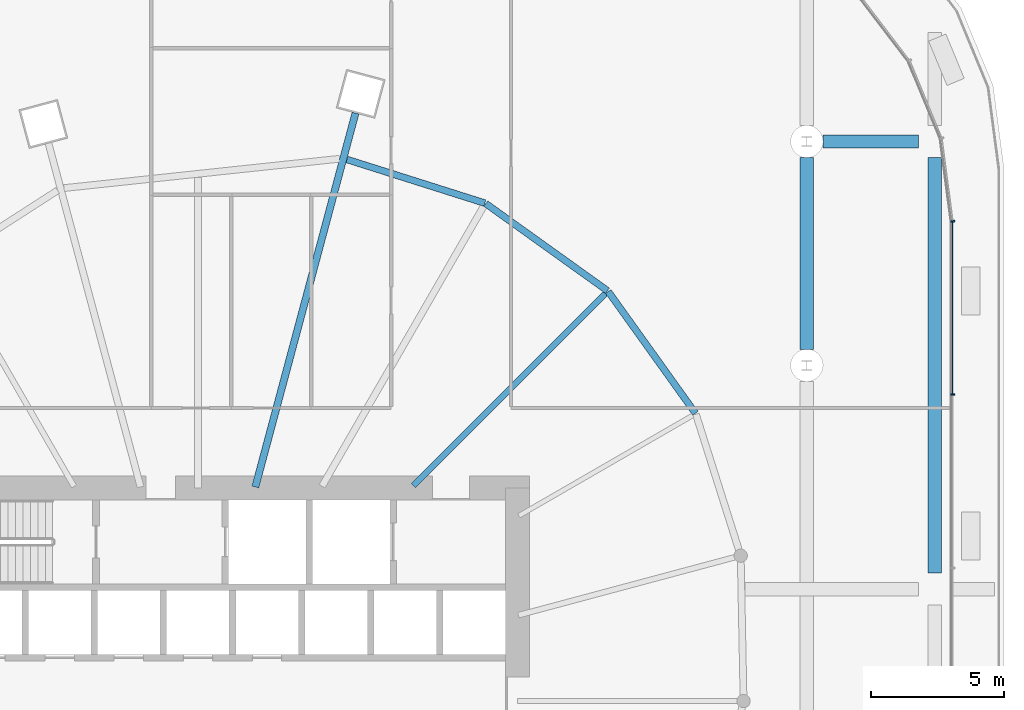
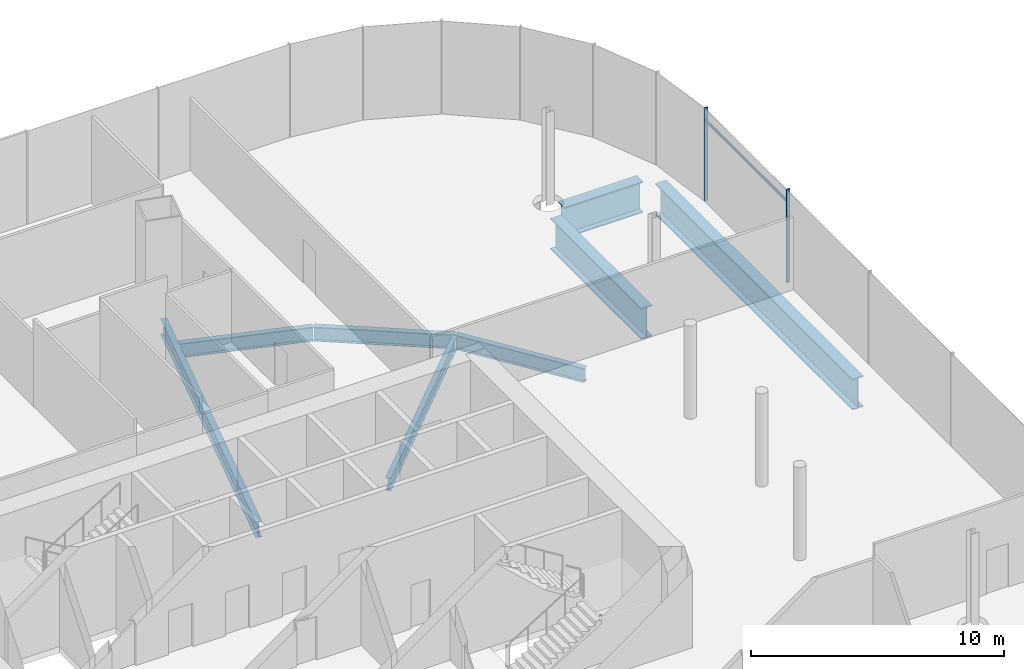
# One storey, part 28 of 56: 8 beams, 3 members, 1 element without a shape of its own.
"""IFC4 building model written with IfcOpenShell, lengths in metres."""

import ifcopenshell
import ifcopenshell.guid

model = None  # the IFC model being written
_history = None  # IfcOwnerHistory: only IFC2X3 demands one
_inside = {}  # id of a spatial element -> (the spatial element, [elements in it])
_under = {}  # id of a project, library or spatial element -> (it, [spatial elements below it])
_declared = {}  # id of a project -> (the project, [libraries it declares])
_typed = {}  # id of a type object -> (the type object, [elements of that type])
_made_of = {}  # id of a material, layer set ... -> (it, [elements and type objects made of it])


def new_model(schema):
    """Start an empty IFC model of exactly this schema.

    Asked for "IFC4X3", IfcOpenShell would pick the latest addendum, in which some entities
    have other attributes; the version numbers below select the first issue.
    IFC2X3 requires an IfcOwnerHistory on every rooted entity: one is made here for all.
    """
    global model, _history
    if schema == "IFC4X3":
        model = ifcopenshell.file(schema_version=(4, 3, 0, 0))
    else:
        model = ifcopenshell.file(schema=schema)
    _inside.clear()
    _under.clear()
    _declared.clear()
    _typed.clear()
    _made_of.clear()
    _history = None
    if model.schema == "IFC2X3":
        org = make("IfcOrganization", Name="unknown")
        user = make(
            "IfcPersonAndOrganization",
            ThePerson=make("IfcPerson", FamilyName="unknown"),
            TheOrganization=org,
        )
        app = make(
            "IfcApplication",
            ApplicationDeveloper=org,
            Version="unknown",
            ApplicationFullName="unknown",
            ApplicationIdentifier="unknown",
        )
        _history = make(
            "IfcOwnerHistory",
            OwningUser=user,
            OwningApplication=app,
            ChangeAction="ADDED",
            CreationDate=0,
        )
    return model


def make(cls, **values):
    """One entity of the class cls with the attributes given. An attribute that is None is left unset."""
    return model.create_entity(
        cls, **{name: value for name, value in values.items() if value is not None}
    )


def rooted(cls, **values):
    """An entity with a GlobalId (a new one), such as an element, a storey or a relation."""
    return make(cls, GlobalId=ifcopenshell.guid.new(), OwnerHistory=_history, **values)


def si_unit(unit_type, name, prefix=None):
    """IfcSIUnit, for example si_unit("LENGTHUNIT", "METRE", prefix="MILLI")."""
    return make("IfcSIUnit", UnitType=unit_type, Prefix=prefix, Name=name)


def assignment(units):
    """IfcUnitAssignment: the units of a project."""
    return None if units is None else make("IfcUnitAssignment", Units=units)


def point(xyz):
    """IfcCartesianPoint."""
    return None if xyz is None else make("IfcCartesianPoint", Coordinates=xyz)


def direction(xyz):
    """IfcDirection."""
    return None if xyz is None else make("IfcDirection", DirectionRatios=xyz)


def frame(location, z_axis=None, x_axis=None):
    """IfcAxis2Placement3D, a coordinate frame: its origin and axes. An axis left out is left unset."""
    return make(
        "IfcAxis2Placement3D",
        Location=point(location),
        Axis=direction(z_axis),
        RefDirection=direction(x_axis),
    )


def frame_2d(location, x_axis=None):
    """IfcAxis2Placement2D, a coordinate frame in the plane: its origin and x axis."""
    return make(
        "IfcAxis2Placement2D", Location=point(location), RefDirection=direction(x_axis)
    )


def origin():
    """The frame at (0, 0, 0) with its axes left unset."""
    return frame((0.0, 0.0, 0.0))


def origin_2d():
    """The frame at (0, 0) in the plane with its x axis left unset."""
    return frame_2d((0.0, 0.0))


def place(relative_to, where):
    """IfcLocalPlacement: puts the frame where relative to a parent placement (None: the world)."""
    return make(
        "IfcLocalPlacement", PlacementRelTo=relative_to, RelativePlacement=where
    )


def context(
    kind, dimensions, precision=None, world=None, true_north=None, identifier=None
):
    """IfcGeometricRepresentationContext, for example the 3D "Model" context."""
    return make(
        "IfcGeometricRepresentationContext",
        ContextIdentifier=identifier,
        ContextType=kind,
        CoordinateSpaceDimension=dimensions,
        Precision=precision,
        WorldCoordinateSystem=world,
        TrueNorth=true_north,
    )


def subcontext(parent, identifier, kind, view, scale=None):
    """IfcGeometricRepresentationSubContext, for example "Body" below "Model"."""
    return make(
        "IfcGeometricRepresentationSubContext",
        ContextIdentifier=identifier,
        ContextType=kind,
        ParentContext=parent,
        TargetScale=scale,
        TargetView=view,
    )


def project(units=None, contexts=None):
    """IfcProject with its units and contexts."""
    return rooted(
        "IfcProject",
        Name="project",
        RepresentationContexts=contexts,
        UnitsInContext=assignment(units),
    )


def spatial(cls, under=None, at=None, **own):
    """A site, building, storey or space (cls), placed at a placement, below another one or the project."""
    s = rooted(cls, ObjectPlacement=at, **own)
    if under is not None:
        _under.setdefault(under.id(), (under, []))[1].append(s)
    return s


def profile(cls, at=None, kind="AREA", **sizes):
    """A parametric profile (cls). Its sizes go by their IFC names, for example OverallWidth=200.0."""
    return make(cls, ProfileType=kind, Position=at, **sizes)


def rectangle(**sizes):
    """IfcRectangleProfileDef."""
    return profile("IfcRectangleProfileDef", **sizes)


def i_section(**sizes):
    """IfcIShapeProfileDef."""
    return profile("IfcIShapeProfileDef", **sizes)


def extrude(swept, where, along, depth):
    """IfcExtrudedAreaSolid: the profile swept, set in the frame where, extruded along a direction by depth."""
    return make(
        "IfcExtrudedAreaSolid",
        SweptArea=swept,
        Position=where,
        ExtrudedDirection=direction(along),
        Depth=depth,
    )


def shape(context_of_items, identifier, shape_type, items):
    """IfcShapeRepresentation: the items that make up one representation, for example the "Body"."""
    return make(
        "IfcShapeRepresentation",
        ContextOfItems=context_of_items,
        RepresentationIdentifier=identifier,
        RepresentationType=shape_type,
        Items=items,
    )


def material(Name=None, Category=None):
    """IfcMaterial."""
    return make("IfcMaterial", Name=Name, Category=Category)


def material_profile(
    of_material, cross_section, Name=None, Category=None, Priority=None
):
    """IfcMaterialProfile: a cross section and its material."""
    return make(
        "IfcMaterialProfile",
        Name=Name,
        Material=of_material,
        Profile=cross_section,
        Priority=Priority,
        Category=Category,
    )


def profile_set(profiles, Name=None, composite=None):
    """IfcMaterialProfileSet."""
    return make(
        "IfcMaterialProfileSet",
        Name=Name,
        MaterialProfiles=profiles,
        CompositeProfile=composite,
    )


def made_of(thing, what):
    """Note that an element or type object is made of a material, layer set ...; save() writes the relation."""
    if what is not None:
        _made_of.setdefault(what.id(), (what, []))[1].append(thing)
    return thing


def type_object(cls, material=None, **own):
    """A type object (cls), such as IfcWallType, which elements share."""
    return made_of(rooted(cls, **own), material)


def element(
    cls,
    number,
    at=None,
    inside=None,
    cuts=None,
    type_object=None,
    material=None,
    context=None,
    identifier="Body",
    shape_type=None,
    held_by="IfcProductDefinitionShape",
    body=None,
    shapes=None,
    **own,
):
    """One element of the class cls, such as IfcWall. Its Tag is "e" and its number.

    at: its placement. inside: the storey or other place that contains it. cuts: it is an
    opening in that element (IfcRelVoidsElement). A single representation is given by context,
    identifier, shape_type and body (its items); several are given by shapes. held_by: the class
    of the entity that holds the representations. save() writes the other relations.
    """
    e = rooted(cls, Tag="e%d" % number, ObjectPlacement=at, **own)
    if body is not None:
        shapes = [shape(context, identifier, shape_type, body)]
    if shapes is not None:
        e.Representation = make(held_by, Representations=shapes)
    if inside is not None:
        _inside.setdefault(inside.id(), (inside, []))[1].append(e)
    if cuts is not None:
        rooted(
            "IfcRelVoidsElement", RelatingBuildingElement=cuts, RelatedOpeningElement=e
        )
    if type_object is not None:
        _typed.setdefault(type_object.id(), (type_object, []))[1].append(e)
    return made_of(e, material)


def aggregate(whole, parts):
    """IfcRelAggregates: a whole, such as a stair, and the parts it consists of."""
    return rooted("IfcRelAggregates", RelatingObject=whole, RelatedObjects=parts)


def save(model, path):
    """Write the relations noted so far, then the file.

    IfcRelAggregates (storeys below a building ...), IfcRelContainedInSpatialStructure (elements
    in a storey), IfcRelDefinesByType, IfcRelAssociatesMaterial and IfcRelDeclares: one each for
    every whole, place, type object, material and project.
    """
    for whole, parts in _under.values():
        aggregate(whole, parts)
    for where, things in _inside.values():
        rooted(
            "IfcRelContainedInSpatialStructure",
            RelatedElements=things,
            RelatingStructure=where,
        )
    for kind, things in _typed.values():
        rooted("IfcRelDefinesByType", RelatedObjects=things, RelatingType=kind)
    for what, things in _made_of.values():
        rooted("IfcRelAssociatesMaterial", RelatedObjects=things, RelatingMaterial=what)
    for by, libraries in _declared.values():
        rooted("IfcRelDeclares", RelatingContext=by, RelatedDefinitions=libraries)
    model.write(path)


model = new_model("IFC4")

# Units and contexts
model_context = context("Model", 3, precision=1e-05, world=origin(), true_north=direction((0.0, 1.0)))
body_context = subcontext(model_context, "Body", "Model", "MODEL_VIEW")
ifc_project = project(units=[si_unit("LENGTHUNIT", "METRE"), si_unit("AREAUNIT", "SQUARE_METRE"), si_unit("VOLUMEUNIT", "CUBIC_METRE"), si_unit("PLANEANGLEUNIT", "RADIAN"), si_unit("MASSUNIT", "GRAM", prefix="KILO")], contexts=[model_context])

# Site, building, storey
site_placement = place(None, origin())
site = spatial("IfcSite", under=ifc_project, at=site_placement, CompositionType="ELEMENT")
building_placement = place(site_placement, origin())
building = spatial("IfcBuilding", under=site, at=building_placement, Name="Rimbun Link Towers", CompositionType="ELEMENT")
storey_placement = place(building_placement, frame((0.0, 0.0, 16.5)))
storey = spatial("IfcBuildingStorey", under=building, at=storey_placement, Name="L03", CompositionType="ELEMENT", Elevation=16.5)

# Curtain wall, members
ifc_material_1 = material(Name="Aluminium 6063-T6 and low-iron glass", Category="aluminium")
curtain_wall_type = type_object("IfcCurtainWallType", Name="CW3 podium shopfront", PredefinedType="NOTDEFINED", material=ifc_material_1)
curtain_wall_placement = place(storey_placement, origin())
curtain_wall = element("IfcCurtainWall", 1, at=curtain_wall_placement, inside=storey, type_object=curtain_wall_type, Name="CW3 L03 PD", PredefinedType="NOTDEFINED")
ifc_material_2 = material(Name="Aluminium 6063-T6", Category="aluminium")
ifc_material_profile_1 = material_profile(ifc_material_2, rectangle(XDim=0.14990234375, YDim=0.06005859375, at=origin_2d()), Name="MULLION 60X150")
ifc_profile_set_1 = profile_set([ifc_material_profile_1], Name="Aluminium 6063-T6")
member_type_1 = type_object("IfcMemberType", Name="CW3 mullion 60X150", PredefinedType="MULLION", material=ifc_profile_set_1)
member_1_placement = place(storey_placement, frame((60.074951171875, 11.5, 0.0), z_axis=(0.0, 0.0, 1.0), x_axis=(1.0, 0.0, 0.0)))
member_1 = element("IfcMember", 2, at=member_1_placement, type_object=member_type_1, Name="CW3 mullion", PredefinedType="MULLION", context=body_context, shape_type="SweptSolid", body=[
    extrude(rectangle(XDim=0.14990234375, YDim=0.06005859375, at=origin_2d()), origin(), (0.0, 0.0, 1.0), 4.5),
])
member_2_placement = place(storey_placement, frame((60.074951171875, 18.0048828125, 0.0), z_axis=(0.0, 0.0, 1.0), x_axis=(0.997858781723, 0.065405288299, 0.0)))
member_2 = element("IfcMember", 3, at=member_2_placement, type_object=member_type_1, Name="CW3 mullion", PredefinedType="MULLION", context=body_context, shape_type="SweptSolid", body=[
    extrude(rectangle(XDim=0.14990234375, YDim=0.06005859375, at=origin_2d()), origin(), (0.0, 0.0, 1.0), 4.5),
])
ifc_material_3 = material(Name="Aluminium 6063-T6", Category="aluminium")
ifc_material_profile_2 = material_profile(ifc_material_3, rectangle(XDim=0.06005859375, YDim=0.1201171875, at=origin_2d()), Name="TRANSOM 60X120")
ifc_profile_set_2 = profile_set([ifc_material_profile_2], Name="Aluminium 6063-T6")
member_type_2 = type_object("IfcMemberType", Name="CW3 transom 60X120", PredefinedType="USERDEFINED", material=ifc_profile_set_2)
member_3_placement = place(storey_placement, frame((60.053955078125, 17.969970703125, 3.89990234375), z_axis=(0.0, -1.0, 0.0), x_axis=(1.0, 0.0, 0.0)))
member_3 = element("IfcMember", 4, at=member_3_placement, type_object=member_type_2, Name="CW3 transom", ObjectType="TRANSOM", PredefinedType="USERDEFINED", context=body_context, shape_type="SweptSolid", body=[
    extrude(rectangle(XDim=0.06005859375, YDim=0.1201171875, at=origin_2d()), origin(), (0.0, 0.0, 1.0), 6.43994140625),
])
aggregate(curtain_wall, [member_1, member_2, member_3])

# Beams
ifc_material_4 = material(Name="Steel S355J2", Category="steel")
ifc_material_profile_3 = material_profile(ifc_material_4, i_section(OverallWidth=0.5, OverallDepth=1.5, WebThickness=0.030029296875, FlangeThickness=0.050048828125, at=origin_2d()), Name="PG 1500x500x30/50")
ifc_profile_set_3 = profile_set([ifc_material_profile_3], Name="Steel S355J2")
beam_type_1 = type_object("IfcBeamType", Name="PG 1500x500x30/50", PredefinedType="BEAM", material=ifc_profile_set_3)
beam_1_placement = place(storey_placement, frame((55.199951171875, 21.0, -1.050048828125), z_axis=(1.0, 0.0, 0.0), x_axis=(0.0, 1.0, 0.0)))
element("IfcBeam", 5, at=beam_1_placement, inside=storey, type_object=beam_type_1, Name="Grid beam L03 +21.0", PredefinedType="BEAM", context=body_context, shape_type="SweptSolid", body=[
    extrude(i_section(OverallWidth=0.5, OverallDepth=1.5, WebThickness=0.030029296875, FlangeThickness=0.050048828125, at=origin_2d()), origin(), (0.0, 0.0, 1.0), 3.60009765625),
])
beam_2_placement = place(storey_placement, frame((54.60009765625, 13.199951171875, -1.050048828125), z_axis=(0.0, 1.0, 0.0), x_axis=(-1.0, 0.0, 0.0)))
element("IfcBeam", 6, at=beam_2_placement, inside=storey, type_object=beam_type_1, Name="Grid beam L03 +54.6", PredefinedType="BEAM", context=body_context, shape_type="SweptSolid", body=[
    extrude(i_section(OverallWidth=0.5, OverallDepth=1.5, WebThickness=0.030029296875, FlangeThickness=0.050048828125, at=origin_2d()), origin(), (0.0, 0.0, 1.0), 7.199951171875),
])
beam_3_placement = place(storey_placement, frame((59.39990234375, 4.800048828125, -1.050048828125), z_axis=(0.0, 1.0, 0.0), x_axis=(-1.0, 0.0, 0.0)))
element("IfcBeam", 7, at=beam_3_placement, inside=storey, type_object=beam_type_1, Name="Grid beam L03 +59.4", PredefinedType="BEAM", context=body_context, shape_type="SweptSolid", body=[
    extrude(i_section(OverallWidth=0.5, OverallDepth=1.5, WebThickness=0.030029296875, FlangeThickness=0.050048828125, at=origin_2d()), origin(), (0.0, 0.0, 1.0), 15.599853515625),
])
ifc_material_5 = material(Name="Steel S355J2", Category="steel")
ifc_material_profile_4 = material_profile(ifc_material_5, i_section(OverallWidth=0.2275390625, OverallDepth=0.6025390625, WebThickness=0.010498046875, FlangeThickness=0.014892578125, at=origin_2d()), Name="UB 610x229x101")
ifc_profile_set_4 = profile_set([ifc_material_profile_4], Name="Steel S355J2")
beam_type_2 = type_object("IfcBeamType", Name="UB 610x229x101", PredefinedType="BEAM", material=ifc_profile_set_4)
beam_4_placement = place(storey_placement, frame((39.831298828125, 8.081298828125, -0.601318359375), z_axis=(0.707106781187, 0.707106781187, 0.0), x_axis=(-0.707106781187, 0.707106781187, 0.0)))
element("IfcBeam", 8, at=beam_4_placement, inside=storey, type_object=beam_type_2, Name="Radial beam T2 L03 00", PredefinedType="BEAM", context=body_context, shape_type="SweptSolid", body=[
    extrude(i_section(OverallWidth=0.2275390625, OverallDepth=0.6025390625, WebThickness=0.010498046875, FlangeThickness=0.014892578125, at=origin_2d()), origin(), (0.0, 0.0, 1.0), 10.20263671875),
])
ifc_material_6 = material(Name="Steel S355J2", Category="steel")
ifc_material_profile_5 = material_profile(ifc_material_6, i_section(OverallWidth=0.253662109375, OverallDepth=0.68359375, WebThickness=0.012451171875, FlangeThickness=0.01904296875, at=origin_2d()), Name="UB 686x254x140")
ifc_profile_set_5 = profile_set([ifc_material_profile_5], Name="Steel S355J2")
beam_type_3 = type_object("IfcBeamType", Name="UB 686x254x140", PredefinedType="BEAM", material=ifc_profile_set_5)
beam_5_placement = place(storey_placement, frame((47.118408203125, 15.39892578125, -0.641845703125), z_axis=(-0.81295433095, 0.582327447223, 0.0), x_axis=(-0.582327447223, -0.81295433095, 0.0)))
element("IfcBeam", 9, at=beam_5_placement, inside=storey, type_object=beam_type_3, Name="Edge beam T2 L03 00", PredefinedType="BEAM", context=body_context, shape_type="SweptSolid", body=[
    extrude(i_section(OverallWidth=0.253662109375, OverallDepth=0.68359375, WebThickness=0.012451171875, FlangeThickness=0.01904296875, at=origin_2d()), origin(), (0.0, 0.0, 1.0), 5.615966796875),
])
beam_6_placement = place(storey_placement, frame((42.515625, 18.687744140625, -0.641845703125), z_axis=(-0.953347835156, 0.301873988947, 0.0), x_axis=(-0.301873988947, -0.953347835156, 0.0)))
element("IfcBeam", 10, at=beam_6_placement, inside=storey, type_object=beam_type_3, Name="Edge beam T2 L03 01", PredefinedType="BEAM", context=body_context, shape_type="SweptSolid", body=[
    extrude(i_section(OverallWidth=0.253662109375, OverallDepth=0.68359375, WebThickness=0.012451171875, FlangeThickness=0.01904296875, at=origin_2d()), origin(), (0.0, 0.0, 1.0), 5.427490234375),
])
beam_7_placement = place(storey_placement, frame((50.419189453125, 10.802978515625, -0.641845703125), z_axis=(-0.582327447223, 0.81295433095, 0.0), x_axis=(-0.81295433095, -0.582327447223, 0.0)))
element("IfcBeam", 11, at=beam_7_placement, inside=storey, type_object=beam_type_3, Name="Edge beam T2 L03 23", PredefinedType="BEAM", context=body_context, shape_type="SweptSolid", body=[
    extrude(i_section(OverallWidth=0.253662109375, OverallDepth=0.68359375, WebThickness=0.012451171875, FlangeThickness=0.01904296875, at=origin_2d()), origin(), (0.0, 0.0, 1.0), 5.615966796875),
])
ifc_material_7 = material(Name="Steel S355J2", Category="steel")
ifc_material_profile_6 = material_profile(ifc_material_7, i_section(OverallWidth=0.2666015625, OverallDepth=0.76220703125, WebThickness=0.014404296875, FlangeThickness=0.021484375, at=origin_2d()), Name="UB 762x267x173")
ifc_profile_set_6 = profile_set([ifc_material_profile_6], Name="Steel S355J2")
beam_type_4 = type_object("IfcBeamType", Name="UB 762x267x173", PredefinedType="BEAM", material=ifc_profile_set_6)
beam_8_placement = place(storey_placement, frame((33.903076171875, 8.035400390625, -0.68115234375), z_axis=(0.25882261837, 0.965924868828, 0.0), x_axis=(-0.965924868828, 0.25882261837, 0.0)))
element("IfcBeam", 12, at=beam_8_placement, inside=storey, type_object=beam_type_4, Name="Radial beam T2 L03 02", PredefinedType="BEAM", context=body_context, shape_type="SweptSolid", body=[
    extrude(i_section(OverallWidth=0.2666015625, OverallDepth=0.76220703125, WebThickness=0.014404296875, FlangeThickness=0.021484375, at=origin_2d()), origin(), (0.0, 0.0, 1.0), 14.525390625),
])

save(model, "model.ifc")
